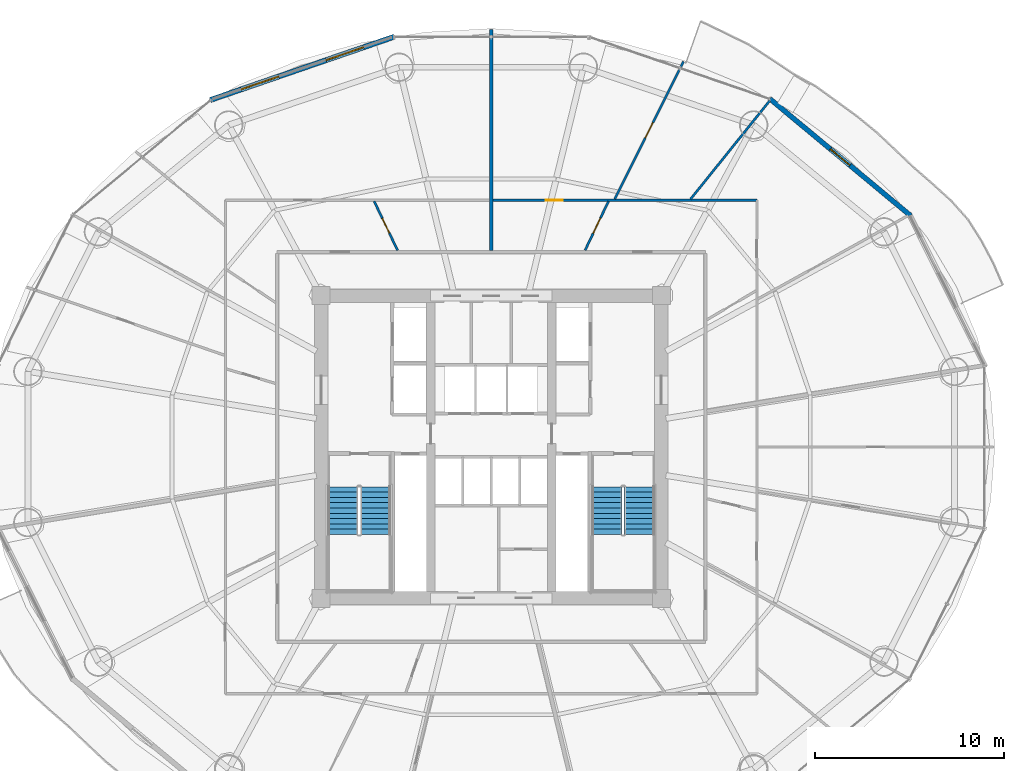
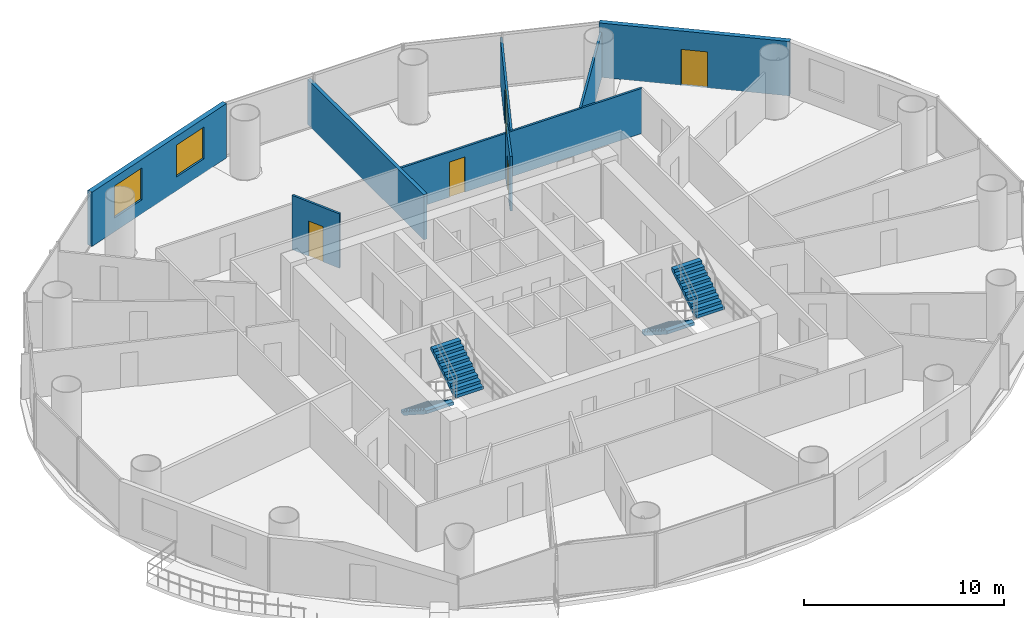
# One storey, part 25 of 29: 8 walls, 5 doors, 4 stair flights, 2 windows, 7 openings, 2 elements without a shape of their own.
"""IFC4 building model written with IfcOpenShell, lengths in metres."""

from ifc_helpers import new_model, si_unit, direction, frame, frame_2d, origin, place, context, subcontext, project, spatial, polyline, rectangle, outline, extrude, source, transform, mapped, material, layer, layer_set, type_object, element, fill, aggregate, save


model = new_model("IFC4")

# Units and contexts
model_context = context("Model", 3, precision=1e-05, world=origin(), true_north=direction((-0.2419218956, 0.970295726276)))
body_context = subcontext(model_context, "Body", "Model", "MODEL_VIEW")
ifc_project = project(units=[si_unit("LENGTHUNIT", "METRE"), si_unit("AREAUNIT", "SQUARE_METRE"), si_unit("VOLUMEUNIT", "CUBIC_METRE"), si_unit("PLANEANGLEUNIT", "RADIAN"), si_unit("MASSUNIT", "GRAM", prefix="KILO")], contexts=[model_context])

# Site, building, storey
site_placement = place(None, origin())
site = spatial("IfcSite", under=ifc_project, at=site_placement, CompositionType="ELEMENT")
building_placement = place(site_placement, origin())
building = spatial("IfcBuilding", under=site, at=building_placement, Name="Cobrevalo Terracotta Tower", CompositionType="ELEMENT")
storey_placement = place(building_placement, frame((0.0, 0.0, 83.39990234375)))
storey = spatial("IfcBuildingStorey", under=building, at=storey_placement, Name="L21", CompositionType="ELEMENT", Elevation=83.39990234375)

# Wall
ifc_material_1 = material(Name="Autoclaved aerated concrete block", Category="concrete")
ifc_layer_1 = layer(ifc_material_1, 0.199951171875)
ifc_layer_set_1 = layer_set([ifc_layer_1], Name="Autoclaved aerated concrete block")
wall_type_1 = type_object("IfcWallType", Name="Fire-rated stair, shaft & demising masonry wall 200 mm", PredefinedType="PARTITIONING", material=ifc_layer_set_1)
wall_1_placement = place(storey_placement, frame((38.0, 37.18505859375, 0.0), z_axis=(0.0, 0.0, 1.0), x_axis=(0.0, 1.0, 0.0)))
element("IfcWall", 1, at=wall_1_placement, inside=storey, type_object=wall_type_1, Name="L21 interior partition IW-L21-DEM-2", PredefinedType="PARTITIONING", context=body_context, shape_type="SweptSolid", body=[
    extrude(rectangle(XDim=11.655029296875, YDim=0.199951171875, at=frame_2d((5.82763671875, 0.0))), origin(), (0.0, 0.0, 1.0), 2.76708984375),
])

# Wall, openings, windows
ifc_layer_2 = layer(ifc_material_1, 0.280029296875)
ifc_layer_set_2 = layer_set([ifc_layer_2], Name="Autoclaved aerated concrete block")
wall_type_2 = type_object("IfcWallType", Name="Insulated tower spandrel & pier wall 280 mm with terracotta rainscreen", PredefinedType="SOLIDWALL", material=ifc_layer_set_2)
wall_2_placement = place(storey_placement, frame((32.89208984375, 48.471923828125, 0.0), z_axis=(0.0, 0.0, 1.0), x_axis=(-0.945597432299, -0.325339047809, 0.0)))
wall_2 = element("IfcWall", 2, at=wall_2_placement, inside=storey, type_object=wall_type_2, Name="L21 terracotta rainscreen pier wall S05", PredefinedType="SOLIDWALL", context=body_context, shape_type="SweptSolid", body=[
    extrude(rectangle(XDim=10.2890625, YDim=0.280029296875, at=frame_2d((5.14453125, 0.0))), origin(), (0.0, 0.0, 1.0), 3.3251953125),
])
opening_1_placement = place(wall_2_placement, frame((1.72802734375, 0.0, 0.85009765625)))
opening_1 = element("IfcOpeningElement", 3, at=opening_1_placement, cuts=wall_2, Name="Opening WN-10", PredefinedType="OPENING", context=body_context, shape_type="SweptSolid", body=[
    extrude(rectangle(XDim=2.10009765625, YDim=1.949951171875, at=frame_2d((1.050048828125, 0.97509765625))), frame((0.0, 0.14990234375, 0.0), z_axis=(0.0, -1.0, 0.0), x_axis=(1.0, 0.0, 0.0)), (0.0, 0.0, 1.0), 0.300048828125),
])
opening_2_placement = place(wall_2_placement, frame((6.4609375, 0.0, 0.85009765625)))
opening_2 = element("IfcOpeningElement", 4, at=opening_2_placement, cuts=wall_2, Name="Opening WN-10", PredefinedType="OPENING", context=body_context, shape_type="SweptSolid", body=[
    extrude(rectangle(XDim=2.10009765625, YDim=1.949951171875, at=frame_2d((1.050048828125, 0.97509765625))), frame((0.0, 0.14990234375, 0.0), z_axis=(0.0, -1.0, 0.0), x_axis=(1.0, 0.0, 0.0)), (0.0, 0.0, 1.0), 0.300048828125),
])
ifc_material_2 = material(Name="Solar-control low-E double glazing", Category="glass")
window_type = type_object("IfcWindowType", Name="Wide panoramic low-E aluminium window 2100x1950", PartitioningType="SINGLE_PANEL", PredefinedType="WINDOW", material=ifc_material_2)
shared_shape_1 = source(origin(), body_context, "Body", "SweptSolid", [
    extrude(rectangle(XDim=2.10009765625, YDim=1.949951171875, at=frame_2d((1.050048828125, 0.97509765625))), frame((0.0, 0.030029296875, 0.0), z_axis=(0.0, -1.0, 0.0), x_axis=(1.0, 0.0, 0.0)), (0.0, 0.0, 1.0), 0.06005859375),
])
window_1_placement = place(opening_1_placement, origin())
window_1 = element("IfcWindow", 5, at=window_1_placement, inside=storey, type_object=window_type, Name="L21 suite window S05A", OverallHeight=1.949951171875, OverallWidth=2.10009765625, PartitioningType="SINGLE_PANEL", PredefinedType="WINDOW", context=body_context, shape_type="MappedRepresentation", body=[
    mapped(shared_shape_1, transform((0.0, 0.0, 0.0), scale=1.0)),
])
fill(opening_1, window_1)
window_2_placement = place(opening_2_placement, origin())
window_2 = element("IfcWindow", 6, at=window_2_placement, inside=storey, type_object=window_type, Name="L21 suite window S05B", OverallHeight=1.949951171875, OverallWidth=2.10009765625, PartitioningType="SINGLE_PANEL", PredefinedType="WINDOW", context=body_context, shape_type="MappedRepresentation", body=[
    mapped(shared_shape_1, transform((0.0, 0.0, 0.0), scale=1.0)),
])
fill(opening_2, window_2)

# Wall, opening, door
ifc_layer_3 = layer(ifc_material_1, 0.260009765625)
ifc_layer_set_3 = layer_set([ifc_layer_3], Name="Autoclaved aerated concrete block")
wall_type_3 = type_object("IfcWallType", Name="Recessed balcony loggia insulated exterior wall 260 mm", PredefinedType="SOLIDWALL", material=ifc_layer_set_3)
wall_3_placement = place(storey_placement, frame((60.15380859375, 39.01025390625, 0.0), z_axis=(0.0, 0.0, 1.0), x_axis=(-0.769242574941, 0.638956853706, 0.0)))
wall_3 = element("IfcWall", 7, at=wall_3_placement, inside=storey, type_object=wall_type_3, Name="L21 balcony loggia wall S02", PredefinedType="SOLIDWALL", context=body_context, shape_type="SweptSolid", body=[
    extrude(rectangle(XDim=9.68994140625, YDim=0.260009765625, at=frame_2d((4.844970703125, 0.0))), origin(), (0.0, 0.0, 1.0), 3.3251953125),
])
opening_3_placement = place(wall_3_placement, frame((4.169921875, 0.0, 0.0)))
opening_3 = element("IfcOpeningElement", 8, at=opening_3_placement, cuts=wall_3, Name="Opening ED-05", PredefinedType="OPENING", context=body_context, shape_type="SweptSolid", body=[
    extrude(rectangle(XDim=1.35009765625, YDim=2.199951171875, at=frame_2d((0.675048828125, 1.10009765625))), frame((0.0, 0.14013671875, 0.0), z_axis=(0.0, -1.0, 0.0), x_axis=(1.0, 0.0, 0.0)), (0.0, 0.0, 1.0), 0.280029296875),
])
ifc_material_3 = material(Name="Anodized aluminium and laminated glass", Category="aluminium")
door_type_1 = type_object("IfcDoorType", Name="Suite balcony acoustic glazed terrace door 1350x2200", OperationType="NOTDEFINED", PredefinedType="DOOR", material=ifc_material_3)
shared_shape_2 = source(origin(), body_context, "Body", "SweptSolid", [
    extrude(rectangle(XDim=1.35009765625, YDim=2.199951171875, at=frame_2d((0.675048828125, 1.10009765625))), frame((0.0, 0.02490234375, 0.0), z_axis=(0.0, -1.0, 0.0), x_axis=(1.0, 0.0, 0.0)), (0.0, 0.0, 1.0), 0.050048828125),
])
door_1_placement = place(opening_3_placement, frame((1.35009765625, 0.0, 0.0), z_axis=(0.0, 0.0, 1.0), x_axis=(-1.0, 0.0, 0.0)))
door_1 = element("IfcDoor", 9, at=door_1_placement, inside=storey, type_object=door_type_1, Name="L21 glazed balcony terrace door 1", OperationType="SINGLE_SWING_LEFT", OverallHeight=2.199951171875, OverallWidth=1.35009765625, PredefinedType="DOOR", context=body_context, shape_type="MappedRepresentation", body=[
    mapped(shared_shape_2, transform((0.0, 0.0, 0.0), scale=1.0)),
])
fill(opening_3, door_1)

ifc_material_4 = material(Name="Gypsum board on steel stud", Category="steel")
ifc_layer_4 = layer(ifc_material_4, 0.1201171875)
ifc_layer_set_4 = layer_set([ifc_layer_4], Name="Gypsum board on steel stud")
wall_type_4 = type_object("IfcWallType", Name="Residential internal acoustic stud partition 120 mm", PredefinedType="PARTITIONING", material=ifc_layer_set_4)
wall_4_placement = place(storey_placement, frame((38.10205078125, 39.8349609375, 0.0), z_axis=(0.0, 0.0, 1.0), x_axis=(1.0, 0.0, 0.0)))
wall_4 = element("IfcWall", 10, at=wall_4_placement, inside=storey, type_object=wall_type_4, Name="L21 interior partition IW-L21-U1-RING0_0", PredefinedType="PARTITIONING", context=body_context, shape_type="SweptSolid", body=[
    extrude(rectangle(XDim=13.932861328125, YDim=0.1201171875, at=frame_2d((6.96630859375, 0.0))), origin(), (0.0, 0.0, 1.0), 2.76708984375),
])
opening_4_placement = place(wall_4_placement, frame((2.769287109375, 0.0, 0.0)))
opening_4 = element("IfcOpeningElement", 11, at=opening_4_placement, cuts=wall_4, Name="Opening ID-12", PredefinedType="OPENING", context=body_context, shape_type="SweptSolid", body=[
    extrude(rectangle(XDim=0.89990234375, YDim=2.14990234375, at=frame_2d((0.449951171875, 1.074951171875))), frame((0.0, 0.070068359375, 0.0), z_axis=(0.0, -1.0, 0.0), x_axis=(1.0, 0.0, 0.0)), (0.0, 0.0, 1.0), 0.14013671875),
])
ifc_material_5 = material(Name="Engineered timber", Category="wood")
door_type_2 = type_object("IfcDoorType", Name="Internal residence & suite timber door 900x2150", OperationType="NOTDEFINED", PredefinedType="DOOR", material=ifc_material_5)
shared_shape_3 = source(origin(), body_context, "Body", "SweptSolid", [
    extrude(rectangle(XDim=0.89990234375, YDim=2.14990234375, at=frame_2d((0.449951171875, 1.074951171875))), frame((0.0, 0.02490234375, 0.0), z_axis=(0.0, -1.0, 0.0), x_axis=(1.0, 0.0, 0.0)), (0.0, 0.0, 1.0), 0.050048828125),
])
door_2_placement = place(opening_4_placement, origin())
door_2 = element("IfcDoor", 12, at=door_2_placement, inside=storey, type_object=door_type_2, Name="Flat L21A Penthouse Family Lounge internal door", OperationType="SINGLE_SWING_LEFT", OverallHeight=2.14990234375, OverallWidth=0.89990234375, PredefinedType="DOOR", context=body_context, shape_type="MappedRepresentation", body=[
    mapped(shared_shape_3, transform((0.0, 0.0, 0.0), scale=1.0)),
])
fill(opening_4, door_2)

# Wall
wall_5_placement = place(storey_placement, frame((48.52197265625, 39.88330078125, 0.0), z_axis=(0.0, 0.0, 1.0), x_axis=(0.62672583251, 0.779239841682, 0.0)))
element("IfcWall", 13, at=wall_5_placement, inside=storey, type_object=wall_type_4, Name="L21 interior partition IW-L21-U1-ORAD2M1", PredefinedType="PARTITIONING", context=body_context, shape_type="SweptSolid", body=[
    extrude(rectangle(XDim=6.678466796875, YDim=0.1201171875, at=frame_2d((3.33935546875, 0.0))), origin(), (0.0, 0.0, 1.0), 2.76708984375),
])

# Wall, opening, door
wall_6_placement = place(storey_placement, frame((44.5263671875, 39.890380859375, 0.0), z_axis=(0.0, 0.0, 1.0), x_axis=(0.446167584581, 0.894949432353, 0.0)))
wall_6 = element("IfcWall", 14, at=wall_6_placement, inside=storey, type_object=wall_type_4, Name="L21 interior partition IW-L21-U1-ORAD2", PredefinedType="PARTITIONING", context=body_context, shape_type="SweptSolid", body=[
    extrude(rectangle(XDim=8.124755859375, YDim=0.1201171875, at=frame_2d((4.0625, 0.0))), origin(), (0.0, 0.0, 1.0), 2.76708984375),
])
opening_5_placement = place(wall_6_placement, frame((3.6123046875, 0.0, 0.0)))
opening_5 = element("IfcOpeningElement", 15, at=opening_5_placement, cuts=wall_6, Name="Opening ID-12", PredefinedType="OPENING", context=body_context, shape_type="SweptSolid", body=[
    extrude(rectangle(XDim=0.89990234375, YDim=2.14990234375, at=frame_2d((0.449951171875, 1.074951171875))), frame((0.0, 0.070068359375, 0.0), z_axis=(0.0, -1.0, 0.0), x_axis=(1.0, 0.0, 0.0)), (0.0, 0.0, 1.0), 0.14013671875),
])
door_3_placement = place(opening_5_placement, frame((0.89990234375, 0.0, 0.0), z_axis=(0.0, 0.0, 1.0), x_axis=(-1.0, 0.0, 0.0)))
door_3 = element("IfcDoor", 16, at=door_3_placement, inside=storey, type_object=door_type_2, Name="Flat L21A Principal Guest Bedroom internal door", OperationType="SINGLE_SWING_LEFT", OverallHeight=2.14990234375, OverallWidth=0.89990234375, PredefinedType="DOOR", context=body_context, shape_type="MappedRepresentation", body=[
    mapped(shared_shape_3, transform((0.0, 0.0, 0.0), scale=1.0)),
])
fill(opening_5, door_3)

wall_7_placement = place(storey_placement, frame((42.9560546875, 37.18505859375, 0.0), z_axis=(0.0, 0.0, 1.0), x_axis=(0.430728013923, 0.902481788194, 0.0)))
wall_7 = element("IfcWall", 17, at=wall_7_placement, inside=storey, type_object=wall_type_4, Name="L21 interior partition IW-L21-U1-IRAD2", PredefinedType="PARTITIONING", context=body_context, shape_type="SweptSolid", body=[
    extrude(rectangle(XDim=2.874267578125, YDim=0.1201171875, at=frame_2d((1.43701171875, 0.0))), origin(), (0.0, 0.0, 1.0), 3.3251953125),
])
opening_6_placement = place(wall_7_placement, frame((0.9873046875, 0.0, 0.0)))
opening_6 = element("IfcOpeningElement", 18, at=opening_6_placement, cuts=wall_7, Name="Opening ID-12", PredefinedType="OPENING", context=body_context, shape_type="SweptSolid", body=[
    extrude(rectangle(XDim=0.89990234375, YDim=2.14990234375, at=frame_2d((0.449951171875, 1.074951171875))), frame((0.0, 0.070068359375, 0.0), z_axis=(0.0, -1.0, 0.0), x_axis=(1.0, 0.0, 0.0)), (0.0, 0.0, 1.0), 0.14013671875),
])
door_4_placement = place(opening_6_placement, origin())
door_4 = element("IfcDoor", 19, at=door_4_placement, inside=storey, type_object=door_type_2, Name="Flat L21A Kitchen internal door", OperationType="SINGLE_SWING_RIGHT", OverallHeight=2.14990234375, OverallWidth=0.89990234375, PredefinedType="DOOR", context=body_context, shape_type="MappedRepresentation", body=[
    mapped(shared_shape_3, transform((0.0, 0.0, 0.0), scale=1.0)),
])
fill(opening_6, door_4)

wall_8_placement = place(storey_placement, frame((33.053466796875, 37.18505859375, 0.0), z_axis=(0.0, 0.0, 1.0), x_axis=(-0.429966564324, 0.902844811451, 0.0)))
wall_8 = element("IfcWall", 20, at=wall_8_placement, inside=storey, type_object=wall_type_4, Name="L21 interior partition IW-L21-U2-IRAD1", PredefinedType="PARTITIONING", context=body_context, shape_type="SweptSolid", body=[
    extrude(rectangle(XDim=2.873046875, YDim=0.1201171875, at=frame_2d((1.4365234375, 0.0))), origin(), (0.0, 0.0, 1.0), 3.3251953125),
])
opening_7_placement = place(wall_8_placement, frame((1.006591796875, 0.0, 0.0)))
opening_7 = element("IfcOpeningElement", 21, at=opening_7_placement, cuts=wall_8, Name="Opening ID-19", PredefinedType="OPENING", context=body_context, shape_type="SweptSolid", body=[
    extrude(rectangle(XDim=0.860107421875, YDim=2.14990234375, at=frame_2d((0.43017578125, 1.074951171875))), frame((0.0, 0.070068359375, 0.0), z_axis=(0.0, -1.0, 0.0), x_axis=(1.0, 0.0, 0.0)), (0.0, 0.0, 1.0), 0.14013671875),
])
ifc_material_6 = material(Name="Moisture-sealed timber", Category="wood")
door_type_3 = type_object("IfcDoorType", Name="Suite bathroom internal timber door 860x2150", OperationType="NOTDEFINED", PredefinedType="DOOR", material=ifc_material_6)
shared_shape_4 = source(origin(), body_context, "Body", "SweptSolid", [
    extrude(rectangle(XDim=0.860107421875, YDim=2.14990234375, at=frame_2d((0.43017578125, 1.074951171875))), frame((0.0, 0.02490234375, 0.0), z_axis=(0.0, -1.0, 0.0), x_axis=(1.0, 0.0, 0.0)), (0.0, 0.0, 1.0), 0.050048828125),
])
door_5_placement = place(opening_7_placement, frame((0.860107421875, 0.0, 0.0), z_axis=(0.0, 0.0, 1.0), x_axis=(-1.0, 0.0, 0.0)))
door_5 = element("IfcDoor", 22, at=door_5_placement, inside=storey, type_object=door_type_3, Name="Flat L21B Primary Bathroom internal door", OperationType="SINGLE_SWING_RIGHT", OverallHeight=2.14990234375, OverallWidth=0.860107421875, PredefinedType="DOOR", context=body_context, shape_type="MappedRepresentation", body=[
    mapped(shared_shape_4, transform((0.0, 0.0, 0.0), scale=1.0)),
])
fill(opening_7, door_5)

# Stair, stair flights
ifc_material_7 = material(Name="Concrete C50", Category="concrete")
stair_type = type_object("IfcStairType", Name="Core protected escape dogleg stair 1600", PredefinedType="HALF_TURN_STAIR", material=ifc_material_7)
stair_1_placement = place(storey_placement, origin())
stair_1 = element("IfcStair", 23, at=stair_1_placement, inside=storey, type_object=stair_type, Name="L21 Protected exit stair ST-1", PredefinedType="HALF_TURN_STAIR")
stair_flight_type = type_object("IfcStairFlightType", Name="Core protected escape dogleg stair 1600 flight", PredefinedType="STRAIGHT", material=ifc_material_7)
stair_flight_1_placement = place(storey_placement, frame((30.175048828125, 24.699951171875, 0.0), z_axis=(0.0, 0.0, 1.0), x_axis=(0.0, -1.0, 0.0)))
stair_flight_1 = element("IfcStairFlight", 24, at=stair_flight_1_placement, type_object=stair_flight_type, Name="ST-1 flight 1", NumberOfRisers=10, NumberOfTreads=9, PredefinedType="STRAIGHT", RiserHeight=0.18, TreadLength=0.28, context=body_context, shape_type="SweptSolid", body=[
    extrude(outline(polyline([(0.0, 0.0), (0.0, 0.179931640625), (0.280029296875, 0.179931640625), (0.280029296875, 0.360107421875), (0.56005859375, 0.360107421875), (0.56005859375, 0.5400390625), (0.840087890625, 0.5400390625), (0.840087890625, 0.719970703125), (1.1201171875, 0.719970703125), (1.1201171875, 0.89990234375), (1.39990234375, 0.89990234375), (1.39990234375, 1.080078125), (1.679931640625, 1.080078125), (1.679931640625, 1.260009765625), (1.9599609375, 1.260009765625), (1.9599609375, 1.43994140625), (2.239990234375, 1.43994140625), (2.239990234375, 1.6201171875), (2.52001953125, 1.6201171875), (2.52001953125, 1.800048828125), (2.52001953125, 1.429931640625), (0.295654296875, 0.0), (0.0, 0.0)])), frame((0.0, 0.800048828125, 0.0), z_axis=(0.0, -1.0, 0.0), x_axis=(1.0, 0.0, 0.0)), (0.0, 0.0, 1.0), 1.60009765625),
])
stair_flight_2_placement = place(storey_placement, frame((31.89501953125, 22.179931640625, 1.800048828125), z_axis=(0.0, 0.0, 1.0), x_axis=(0.0, 1.0, 0.0)))
stair_flight_2 = element("IfcStairFlight", 25, at=stair_flight_2_placement, type_object=stair_flight_type, Name="ST-1 flight 2", NumberOfRisers=10, NumberOfTreads=9, PredefinedType="STRAIGHT", RiserHeight=0.18, TreadLength=0.28, context=body_context, shape_type="SweptSolid", body=[
    extrude(outline(polyline([(0.0, 0.0), (0.0, 0.179931640625), (0.280029296875, 0.179931640625), (0.280029296875, 0.360107421875), (0.56005859375, 0.360107421875), (0.56005859375, 0.5400390625), (0.840087890625, 0.5400390625), (0.840087890625, 0.719970703125), (1.1201171875, 0.719970703125), (1.1201171875, 0.89990234375), (1.39990234375, 0.89990234375), (1.39990234375, 1.080078125), (1.679931640625, 1.080078125), (1.679931640625, 1.260009765625), (1.9599609375, 1.260009765625), (1.9599609375, 1.43994140625), (2.239990234375, 1.43994140625), (2.239990234375, 1.6201171875), (2.52001953125, 1.6201171875), (2.52001953125, 1.800048828125), (2.52001953125, 1.429931640625), (0.295654296875, 0.0), (0.0, 0.0)])), frame((0.0, 0.800048828125, 0.0), z_axis=(0.0, -1.0, 0.0), x_axis=(1.0, 0.0, 0.0)), (0.0, 0.0, 1.0), 1.60009765625),
])
aggregate(stair_1, [stair_flight_1, stair_flight_2])

stair_2_placement = place(storey_placement, origin())
stair_2 = element("IfcStair", 26, at=stair_2_placement, inside=storey, type_object=stair_type, Name="L21 Protected exit stair ST-2", PredefinedType="HALF_TURN_STAIR")
stair_flight_3_placement = place(storey_placement, frame((44.10498046875, 24.699951171875, 0.0), z_axis=(0.0, 0.0, 1.0), x_axis=(0.0, -1.0, 0.0)))
stair_flight_3 = element("IfcStairFlight", 27, at=stair_flight_3_placement, type_object=stair_flight_type, Name="ST-2 flight 1", NumberOfRisers=10, NumberOfTreads=9, PredefinedType="STRAIGHT", RiserHeight=0.18, TreadLength=0.28, context=body_context, shape_type="SweptSolid", body=[
    extrude(outline(polyline([(0.0, 0.0), (0.0, 0.179931640625), (0.280029296875, 0.179931640625), (0.280029296875, 0.360107421875), (0.56005859375, 0.360107421875), (0.56005859375, 0.5400390625), (0.840087890625, 0.5400390625), (0.840087890625, 0.719970703125), (1.1201171875, 0.719970703125), (1.1201171875, 0.89990234375), (1.39990234375, 0.89990234375), (1.39990234375, 1.080078125), (1.679931640625, 1.080078125), (1.679931640625, 1.260009765625), (1.9599609375, 1.260009765625), (1.9599609375, 1.43994140625), (2.239990234375, 1.43994140625), (2.239990234375, 1.6201171875), (2.52001953125, 1.6201171875), (2.52001953125, 1.800048828125), (2.52001953125, 1.429931640625), (0.295654296875, 0.0), (0.0, 0.0)])), frame((0.0, 0.800048828125, 0.0), z_axis=(0.0, -1.0, 0.0), x_axis=(1.0, 0.0, 0.0)), (0.0, 0.0, 1.0), 1.60009765625),
])
stair_flight_4_placement = place(storey_placement, frame((45.824951171875, 22.179931640625, 1.800048828125), z_axis=(0.0, 0.0, 1.0), x_axis=(0.0, 1.0, 0.0)))
stair_flight_4 = element("IfcStairFlight", 28, at=stair_flight_4_placement, type_object=stair_flight_type, Name="ST-2 flight 2", NumberOfRisers=10, NumberOfTreads=9, PredefinedType="STRAIGHT", RiserHeight=0.18, TreadLength=0.28, context=body_context, shape_type="SweptSolid", body=[
    extrude(outline(polyline([(0.0, 0.0), (0.0, 0.179931640625), (0.280029296875, 0.179931640625), (0.280029296875, 0.360107421875), (0.56005859375, 0.360107421875), (0.56005859375, 0.5400390625), (0.840087890625, 0.5400390625), (0.840087890625, 0.719970703125), (1.1201171875, 0.719970703125), (1.1201171875, 0.89990234375), (1.39990234375, 0.89990234375), (1.39990234375, 1.080078125), (1.679931640625, 1.080078125), (1.679931640625, 1.260009765625), (1.9599609375, 1.260009765625), (1.9599609375, 1.43994140625), (2.239990234375, 1.43994140625), (2.239990234375, 1.6201171875), (2.52001953125, 1.6201171875), (2.52001953125, 1.800048828125), (2.52001953125, 1.429931640625), (0.295654296875, 0.0), (0.0, 0.0)])), frame((0.0, 0.800048828125, 0.0), z_axis=(0.0, -1.0, 0.0), x_axis=(1.0, 0.0, 0.0)), (0.0, 0.0, 1.0), 1.60009765625),
])
aggregate(stair_2, [stair_flight_3, stair_flight_4])

save(model, "model.ifc")
